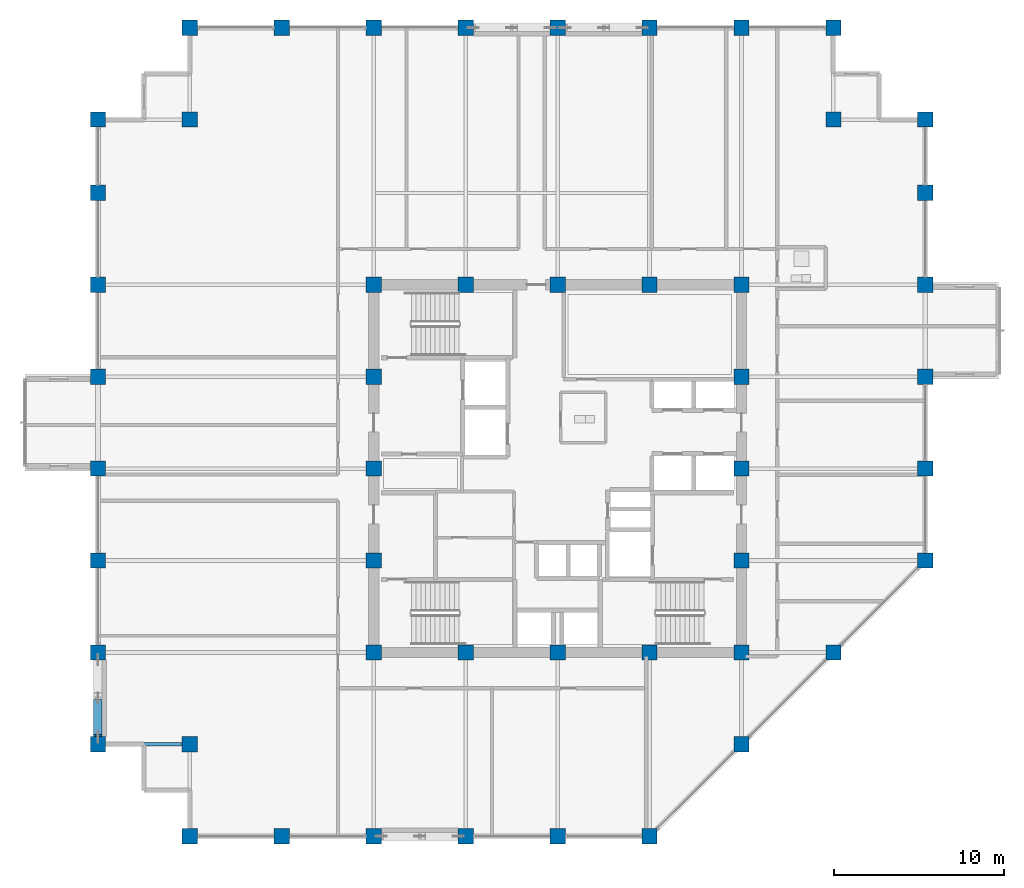
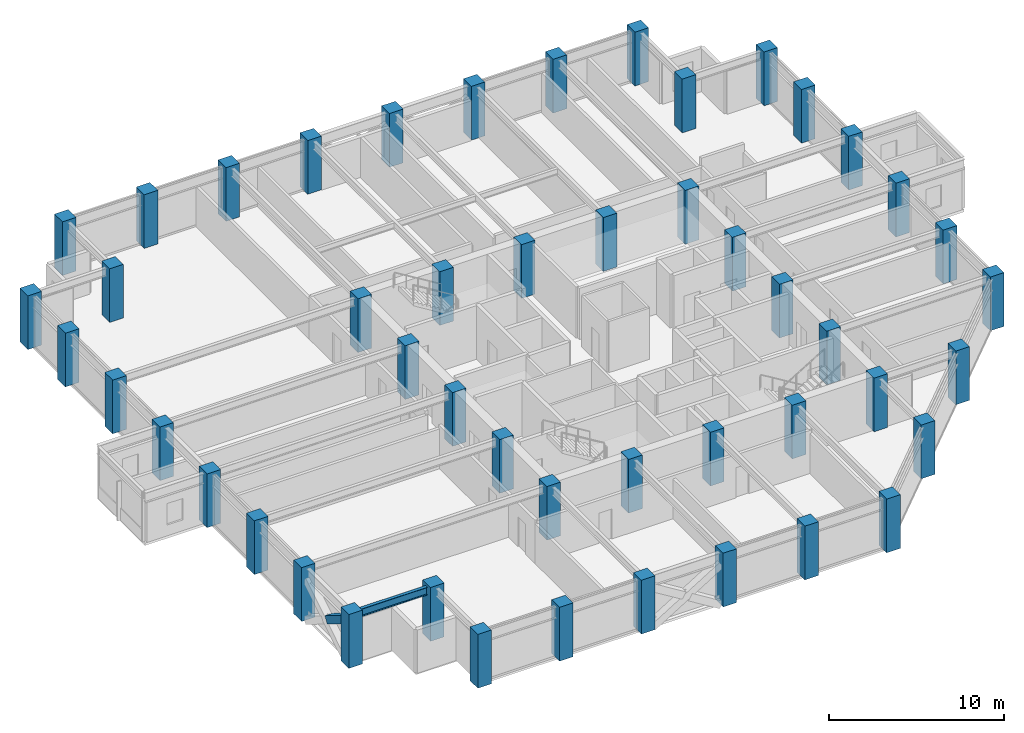
# One storey, part 1 of 28: 49 columns, 1 beam, 1 member.
"""IFC4 building model written with IfcOpenShell, lengths in metres."""

from ifc_helpers import new_model, si_unit, direction, frame, origin, origin_2d, place, context, subcontext, project, spatial, rectangle, hollow_rectangle, i_section, extrude, material, material_profile, profile_set, type_object, element, save


model = new_model("IFC4")

# Units and contexts
model_context = context("Model", 3, precision=1e-05, world=origin(), true_north=direction((0.0, 1.0)))
body_context = subcontext(model_context, "Body", "Model", "MODEL_VIEW")
ifc_project = project(units=[si_unit("LENGTHUNIT", "METRE"), si_unit("AREAUNIT", "SQUARE_METRE"), si_unit("VOLUMEUNIT", "CUBIC_METRE"), si_unit("PLANEANGLEUNIT", "RADIAN"), si_unit("MASSUNIT", "GRAM", prefix="KILO")], contexts=[model_context])

# Site, building, storey
site_placement = place(None, origin())
site = spatial("IfcSite", under=ifc_project, at=site_placement, CompositionType="ELEMENT")
building_placement = place(site_placement, origin())
building = spatial("IfcBuilding", under=site, at=building_placement, Name="Surkhivell Harbour Commons", CompositionType="ELEMENT")
storey_placement = place(building_placement, frame((0.0, 0.0, 174.75)))
storey = spatial("IfcBuildingStorey", under=building, at=storey_placement, Name="L45", CompositionType="ELEMENT", Elevation=174.75)

# Columns
ifc_material_1 = material(Name="Concrete C60/75", Category="concrete")
ifc_material_profile_1 = material_profile(ifc_material_1, rectangle(XDim=0.89990234375, YDim=0.89990234375, at=origin_2d()), Name="RC-COL-900x900")
ifc_profile_set_1 = profile_set([ifc_material_profile_1], Name="Concrete C60/75")
column_type = type_object("IfcColumnType", Name="COL-TUBE-Z3A", PredefinedType="COLUMN", material=ifc_profile_set_1)
for number, where, z_axis, x_axis, name in (
    (1, (-27.0, -16.199951171875, 0.0), (0.0, 0.0, 1.0), (1.0, 0.0, 0.0), "L45 Column CT-3A (-27.0,-16.2)"),
    (2, (-27.0, -10.800048828125, 0.0), (0.0, 0.0, 1.0), (1.0, 0.0, 0.0), "L45 Column CT-3A (-27.0,-10.8)"),
    (3, (-27.0, -5.39990234375, 0.0), (0.0, 0.0, 1.0), (1.0, 0.0, 0.0), "L45 Column CT-3A (-27.0,-5.4)"),
    (4, (-27.0, 0.0, 0.0), (0.0, 0.0, 1.0), (1.0, 0.0, 0.0), "L45 Column CT-3A (-27.0,0.0)"),
    (5, (-27.0, 5.39990234375, 0.0), (0.0, 0.0, 1.0), (1.0, 0.0, 0.0), "L45 Column CT-3A (-27.0,5.4)"),
    (6, (-27.0, 10.800048828125, 0.0), (0.0, 0.0, 1.0), (1.0, 0.0, 0.0), "L45 Column CT-3A (-27.0,10.8)"),
    (7, (-27.0, 16.199951171875, 0.0), (0.0, 0.0, 1.0), (1.0, 0.0, 0.0), "L45 Column CT-3A (-27.0,16.2)"),
    (8, (-27.0, 20.5, 0.0), (0.0, 0.0, 1.0), (1.0, 0.0, 0.0), "L45 Column CT-3A (-27.0,20.5)"),
    (9, (-21.60009765625, -21.60009765625, 0.0), (0.0, 0.0, 1.0), (1.0, 0.0, 0.0), "L45 Column CT-3A (-21.6,-21.6)"),
    (10, (-21.60009765625, -16.199951171875, 0.0), (0.0, 0.0, 1.0), (1.0, 0.0, 0.0), "L45 Column CT-3A (-21.6,-16.2)"),
    (11, (-21.60009765625, 20.5, 0.0), (0.0, 0.0, 1.0), (1.0, 0.0, 0.0), "L45 Column CT-3A (-21.6,20.5)"),
    (12, (-21.60009765625, 25.89990234375, 0.0), (0.0, 0.0, 1.0), (1.0, 0.0, 0.0), "L45 Column CT-3A (-21.6,25.9)"),
    (13, (-16.199951171875, -21.60009765625, 0.0), (0.0, 0.0, 1.0), (1.0, 0.0, 0.0), "L45 Column CT-3A (-16.2,-21.6)"),
    (14, (-16.199951171875, 25.89990234375, 0.0), (0.0, 0.0, 1.0), (1.0, 0.0, 0.0), "L45 Column CT-3A (-16.2,25.9)"),
    (15, (-10.800048828125, -21.60009765625, 0.0), (0.0, 0.0, 1.0), (1.0, 0.0, 0.0), "L45 Column CT-3A (-10.8,-21.6)"),
    (16, (-10.800048828125, -10.800048828125, 0.0), (0.0, 0.0, 1.0), (1.0, 0.0, 0.0), "L45 Column CT-3A (-10.8,-10.8)"),
    (17, (-10.800048828125, -5.39990234375, 0.0), (0.0, 0.0, 1.0), (1.0, 0.0, 0.0), "L45 Column CT-3A (-10.8,-5.4)"),
    (18, (-10.800048828125, 0.0, 0.0), (0.0, 0.0, 1.0), (1.0, 0.0, 0.0), "L45 Column CT-3A (-10.8,0.0)"),
    (19, (-10.800048828125, 5.39990234375, 0.0), (0.0, 0.0, 1.0), (1.0, 0.0, 0.0), "L45 Column CT-3A (-10.8,5.4)"),
    (20, (-10.800048828125, 10.800048828125, 0.0), (0.0, 0.0, 1.0), (1.0, 0.0, 0.0), "L45 Column CT-3A (-10.8,10.8)"),
    (21, (-10.800048828125, 25.89990234375, 0.0), (0.0, 0.0, 1.0), (1.0, 0.0, 0.0), "L45 Column CT-3A (-10.8,25.9)"),
    (22, (-5.39990234375, -21.60009765625, 0.0), (0.0, 0.0, 1.0), (1.0, 0.0, 0.0), "L45 Column CT-3A (-5.4,-21.6)"),
    (23, (-5.39990234375, -10.800048828125, 0.0), (0.0, 0.0, 1.0), (1.0, 0.0, 0.0), "L45 Column CT-3A (-5.4,-10.8)"),
    (24, (-5.39990234375, 10.800048828125, 0.0), (0.0, 0.0, 1.0), (1.0, 0.0, 0.0), "L45 Column CT-3A (-5.4,10.8)"),
    (25, (-5.39990234375, 25.89990234375, 0.0), (0.0, 0.0, 1.0), (1.0, 0.0, 0.0), "L45 Column CT-3A (-5.4,25.9)"),
    (26, (0.0, -21.60009765625, 0.0), (0.0, 0.0, 1.0), (1.0, 0.0, 0.0), "L45 Column CT-3A (-0.0,-21.6)"),
    (27, (0.0, -10.800048828125, 0.0), (0.0, 0.0, 1.0), (1.0, 0.0, 0.0), "L45 Column CT-3A (0.0,-10.8)"),
    (28, (0.0, 10.800048828125, 0.0), (0.0, 0.0, 1.0), (1.0, 0.0, 0.0), "L45 Column CT-3A (0.0,10.8)"),
    (29, (0.0, 25.89990234375, 0.0), (0.0, 0.0, 1.0), (1.0, 0.0, 0.0), "L45 Column CT-3A (-0.0,25.9)"),
    (30, (5.39990234375, -21.60009765625, 0.0), (0.0, 0.0, 1.0), (1.0, 0.0, 0.0), "L45 Column CT-3A (5.4,-21.6)"),
    (31, (5.39990234375, -10.800048828125, 0.0), (0.0, 0.0, 1.0), (1.0, 0.0, 0.0), "L45 Column CT-3A (5.4,-10.8)"),
    (32, (5.39990234375, 10.800048828125, 0.0), (0.0, 0.0, 1.0), (1.0, 0.0, 0.0), "L45 Column CT-3A (5.4,10.8)"),
    (33, (5.39990234375, 25.89990234375, 0.0), (0.0, 0.0, 1.0), (1.0, 0.0, 0.0), "L45 Column CT-3A (5.4,25.9)"),
    (34, (10.800048828125, -16.199951171875, 0.0), (0.0, 0.0, 1.0), (1.0, 0.0, 0.0), "L45 Column CT-3A (10.8,-16.2)"),
    (35, (10.800048828125, -10.800048828125, 0.0), (0.0, 0.0, 1.0), (1.0, 0.0, 0.0), "L45 Column CT-3A (10.8,-10.8)"),
    (36, (10.800048828125, -5.39990234375, 0.0), (0.0, 0.0, 1.0), (1.0, 0.0, 0.0), "L45 Column CT-3A (10.8,-5.4)"),
    (37, (10.800048828125, 0.0, 0.0), (0.0, 0.0, 1.0), (1.0, 0.0, 0.0), "L45 Column CT-3A (10.8,0.0)"),
    (38, (10.800048828125, 5.39990234375, 0.0), (0.0, 0.0, 1.0), (1.0, 0.0, 0.0), "L45 Column CT-3A (10.8,5.4)"),
    (39, (10.800048828125, 10.800048828125, 0.0), (0.0, 0.0, 1.0), (1.0, 0.0, 0.0), "L45 Column CT-3A (10.8,10.8)"),
    (40, (10.800048828125, 25.89990234375, 0.0), (0.0, 0.0, 1.0), (1.0, 0.0, 0.0), "L45 Column CT-3A (10.8,25.9)"),
    (41, (16.199951171875, -10.800048828125, 0.0), (0.0, 0.0, 1.0), (1.0, 0.0, 0.0), "L45 Column CT-3A (16.2,-10.8)"),
    (42, (16.199951171875, 20.5, 0.0), (0.0, 0.0, 1.0), (1.0, 0.0, 0.0), "L45 Column CT-3A (16.2,20.5)"),
    (43, (16.199951171875, 25.89990234375, 0.0), (0.0, 0.0, 1.0), (1.0, 0.0, 0.0), "L45 Column CT-3A (16.2,25.9)"),
    (44, (21.60009765625, -5.39990234375, 0.0), (0.0, 0.0, 1.0), (1.0, 0.0, 0.0), "L45 Column CT-3A (21.6,-5.4)"),
    (45, (21.60009765625, 0.0, 0.0), (0.0, 0.0, 1.0), (1.0, 0.0, 0.0), "L45 Column CT-3A (21.6,0.0)"),
    (46, (21.60009765625, 5.39990234375, 0.0), (0.0, 0.0, 1.0), (1.0, 0.0, 0.0), "L45 Column CT-3A (21.6,5.4)"),
    (47, (21.60009765625, 10.800048828125, 0.0), (0.0, 0.0, 1.0), (1.0, 0.0, 0.0), "L45 Column CT-3A (21.6,10.8)"),
    (48, (21.60009765625, 16.199951171875, 0.0), (0.0, 0.0, 1.0), (1.0, 0.0, 0.0), "L45 Column CT-3A (21.6,16.2)"),
    (49, (21.60009765625, 20.5, 0.0), (0.0, 0.0, 1.0), (1.0, 0.0, 0.0), "L45 Column CT-3A (21.6,20.5)"),
):
    element("IfcColumn", number, at=place(storey_placement, frame(where, z_axis=z_axis, x_axis=x_axis)), inside=storey, type_object=column_type, Name=name, PredefinedType="COLUMN", context=body_context, shape_type="SweptSolid", body=[
        extrude(rectangle(XDim=0.89990234375, YDim=0.89990234375, at=origin_2d()), origin(), (0.0, 0.0, 1.0), 3.75),
    ])

# Beam
ifc_material_2 = material(Name="Steel S355", Category="steel")
ifc_material_profile_2 = material_profile(ifc_material_2, i_section(OverallWidth=0.2119140625, OverallDepth=0.5439453125, WebThickness=0.0126953125, FlangeThickness=0.021240234375, at=origin_2d()), Name="UB533x210x122")
ifc_profile_set_2 = profile_set([ifc_material_profile_2], Name="Steel S355")
beam_type = type_object("IfcBeamType", Name="BM-GRD-533A", PredefinedType="BEAM", material=ifc_profile_set_2)
beam_placement = place(storey_placement, frame((-27.0, -16.199951171875, 3.298095703125), z_axis=(1.0, 0.0, 0.0), x_axis=(0.0, 1.0, 0.0)))
element("IfcBeam", 50, at=beam_placement, inside=storey, type_object=beam_type, Name="L45 Floor Girder (-27.0,-16.2)", PredefinedType="BEAM", context=body_context, shape_type="SweptSolid", body=[
    extrude(i_section(OverallWidth=0.2119140625, OverallDepth=0.5439453125, WebThickness=0.0126953125, FlangeThickness=0.021240234375, at=origin_2d()), origin(), (0.0, 0.0, 1.0), 5.39990234375),
])

# Member
ifc_material_3 = material(Name="Steel S460", Category="steel")
ifc_material_profile_3 = material_profile(ifc_material_3, hollow_rectangle(XDim=0.5, YDim=0.5, WallThickness=0.02490234375, at=origin_2d()), Name="SHS500x500x25")
ifc_profile_set_3 = profile_set([ifc_material_profile_3], Name="Steel S460")
member_type = type_object("IfcMemberType", Name="MEM-BRC-SHS500", PredefinedType="BRACE", material=ifc_profile_set_3)
member_placement = place(storey_placement, frame((-27.0, -13.7041015625, 1.531982421875), z_axis=(0.0, -0.850958361341, 0.525233155146), x_axis=(1.0, 0.0, 0.0)))
element("IfcMember", 51, at=member_placement, inside=storey, type_object=member_type, Name="L45 Perimeter Mega-Brace MB- 12", PredefinedType="BRACE", context=body_context, shape_type="SweptSolid", body=[
    extrude(hollow_rectangle(XDim=0.5, YDim=0.5, WallThickness=0.02490234375, at=origin_2d()), origin(), (0.0, 0.0, 1.0), 2.421630859375),
])

save(model, "model.ifc")
